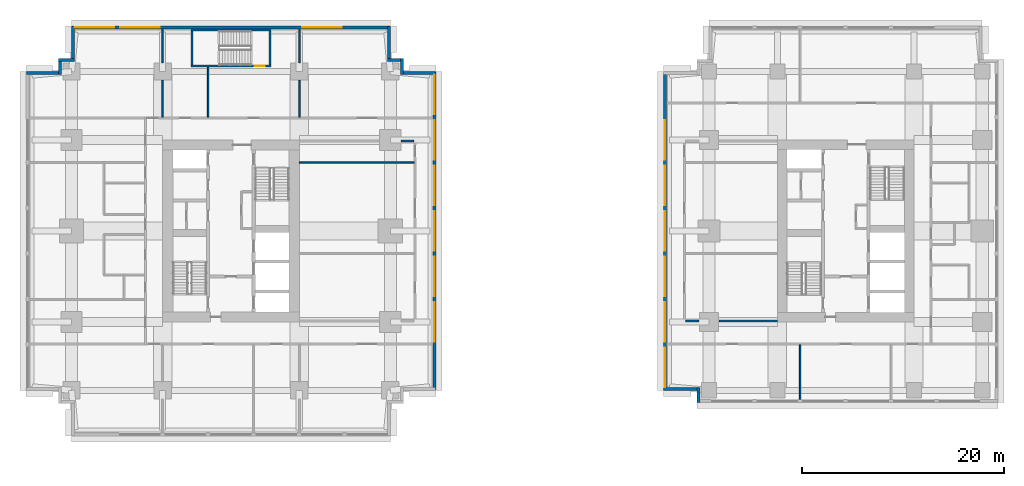
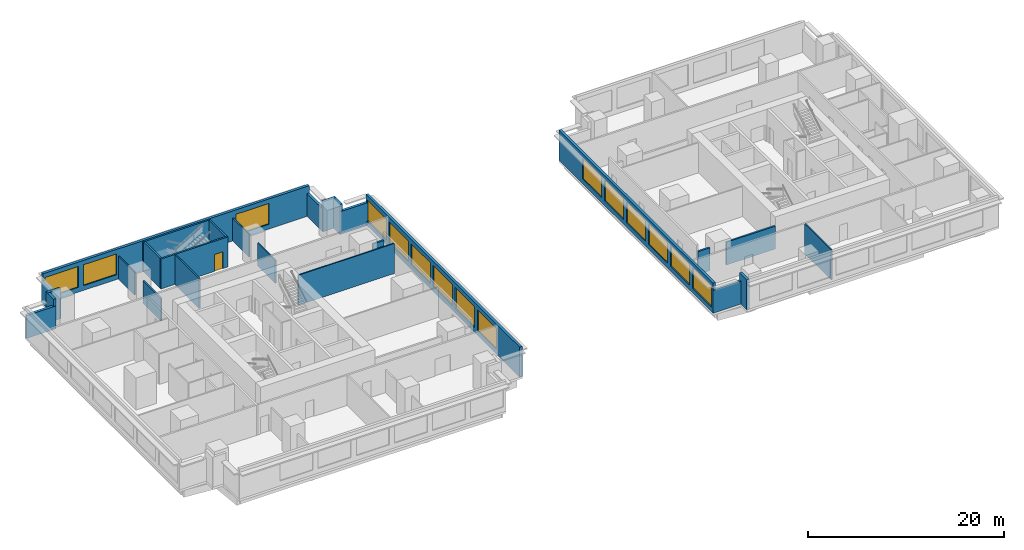
# One storey, part 5 of 10: 27 walls, 15 windows, 1 door, 16 openings.
"""IFC4 building model written with IfcOpenShell, lengths in metres."""

from ifc_helpers import new_model, si_unit, direction, frame, frame_2d, origin, place, context, subcontext, project, spatial, rectangle, extrude, material, layer, layer_set, type_object, element, fill, save


model = new_model("IFC4")

# Units and contexts
model_context = context("Model", 3, precision=1e-05, world=origin(), true_north=direction((0.0, 1.0)))
body_context = subcontext(model_context, "Body", "Model", "MODEL_VIEW")
ifc_project = project(units=[si_unit("LENGTHUNIT", "METRE"), si_unit("AREAUNIT", "SQUARE_METRE"), si_unit("VOLUMEUNIT", "CUBIC_METRE"), si_unit("PLANEANGLEUNIT", "RADIAN"), si_unit("MASSUNIT", "GRAM", prefix="KILO")], contexts=[model_context])

# Site, building, storey
site_placement = place(None, origin())
site = spatial("IfcSite", under=ifc_project, at=site_placement, CompositionType="ELEMENT")
building_placement = place(site_placement, origin())
building = spatial("IfcBuilding", under=site, at=building_placement, Name="Namib Vertical Campus", CompositionType="ELEMENT")
storey_placement = place(building_placement, frame((0.0, 0.0, 145.0)))
storey = spatial("IfcBuildingStorey", under=building, at=storey_placement, Name="L34", CompositionType="ELEMENT", Elevation=145.0)

# Walls
ifc_material_1 = material(Name="Concrete masonry", Category="masonry")
ifc_layer_1 = layer(ifc_material_1, 0.199951171875)
ifc_layer_set_1 = layer_set([ifc_layer_1], Name="Corridor wall 200")
wall_type_1 = type_object("IfcWallType", Name="Corridor wall 200", PredefinedType="SOLIDWALL", material=ifc_layer_set_1)
wall_1_placement = place(storey_placement, frame((37.070068359375, 29.14990234375, 0.0), z_axis=(0.0, 0.0, 1.0), x_axis=(1.0, 0.0, 0.0)))
element("IfcWall", 1, at=wall_1_placement, inside=storey, type_object=wall_type_1, Name="Corridor wall A L34 GN", PredefinedType="SOLIDWALL", context=body_context, shape_type="SweptSolid", body=[
    extrude(rectangle(XDim=1.280029296875, YDim=0.199951171875, at=frame_2d((0.64013671875, 0.0))), origin(), (0.0, 0.0, 1.0), 2.85009765625),
])
wall_2_placement = place(storey_placement, frame((65.14990234375, 11.35009765625, 0.0), z_axis=(0.0, 0.0, 1.0), x_axis=(1.0, 0.0, 0.0)))
element("IfcWall", 2, at=wall_2_placement, inside=storey, type_object=wall_type_1, Name="Corridor wall B L34 GS", PredefinedType="SOLIDWALL", context=body_context, shape_type="SweptSolid", body=[
    extrude(rectangle(XDim=1.380126953125, YDim=0.199951171875, at=frame_2d((0.68994140625, 0.0))), origin(), (0.0, 0.0, 1.0), 2.85009765625),
])
wall_3_placement = place(storey_placement, frame((68.469970703125, 11.35009765625, 0.0), z_axis=(0.0, 0.0, 1.0), x_axis=(1.0, 0.0, 0.0)))
element("IfcWall", 3, at=wall_3_placement, inside=storey, type_object=wall_type_1, Name="Corridor wall B L34 GS", PredefinedType="SOLIDWALL", context=body_context, shape_type="SweptSolid", body=[
    extrude(rectangle(XDim=5.780029296875, YDim=0.199951171875, at=frame_2d((2.89013671875, 0.0))), origin(), (0.0, 0.0, 1.0), 2.85009765625),
])

# Wall, openings, windows
ifc_material_2 = material(Name="Concrete C40/50", Category="concrete")
ifc_layer_2 = layer(ifc_material_2, 0.300048828125)
ifc_layer_set_2 = layer_set([ifc_layer_2], Name="Concrete C40/50")
wall_type_2 = type_object("IfcWallType", Name="External wall 300 board-marked concrete", PredefinedType="STANDARD", material=ifc_layer_set_2)
wall_4_placement = place(storey_placement, frame((40.35009765625, 4.52001953125, 0.0), z_axis=(0.0, 0.0, 1.0), x_axis=(0.0, 1.0, 0.0)))
wall_4 = element("IfcWall", 4, at=wall_4_placement, inside=storey, type_object=wall_type_2, Name="External wall L34 F06", PredefinedType="STANDARD", context=body_context, shape_type="SweptSolid", body=[
    extrude(rectangle(XDim=31.4599609375, YDim=0.300048828125, at=frame_2d((15.72998046875, 0.0))), origin(), (0.0, 0.0, 1.0), 3.75),
])
opening_1_placement = place(wall_4_placement, frame((4.780029296875, 0.0, 0.60009765625)))
opening_1 = element("IfcOpeningElement", 5, at=opening_1_placement, cuts=wall_4, Name="Opening W2", PredefinedType="OPENING", context=body_context, shape_type="SweptSolid", body=[
    extrude(rectangle(XDim=3.89990234375, YDim=2.60009765625, at=frame_2d((1.949951171875, 1.300048828125))), frame((0.0, 0.159912109375, 0.0), z_axis=(0.0, -1.0, 0.0), x_axis=(1.0, 0.0, 0.0)), (0.0, 0.0, 1.0), 0.320068359375),
])
opening_2_placement = place(wall_4_placement, frame((9.280029296875, 0.0, 0.60009765625)))
opening_2 = element("IfcOpeningElement", 6, at=opening_2_placement, cuts=wall_4, Name="Opening W2", PredefinedType="OPENING", context=body_context, shape_type="SweptSolid", body=[
    extrude(rectangle(XDim=3.89990234375, YDim=2.60009765625, at=frame_2d((1.949951171875, 1.300048828125))), frame((0.0, 0.159912109375, 0.0), z_axis=(0.0, -1.0, 0.0), x_axis=(1.0, 0.0, 0.0)), (0.0, 0.0, 1.0), 0.320068359375),
])
opening_3_placement = place(wall_4_placement, frame((13.780029296875, 0.0, 0.60009765625)))
opening_3 = element("IfcOpeningElement", 7, at=opening_3_placement, cuts=wall_4, Name="Opening W2", PredefinedType="OPENING", context=body_context, shape_type="SweptSolid", body=[
    extrude(rectangle(XDim=3.89990234375, YDim=2.60009765625, at=frame_2d((1.949951171875, 1.300048828125))), frame((0.0, 0.159912109375, 0.0), z_axis=(0.0, -1.0, 0.0), x_axis=(1.0, 0.0, 0.0)), (0.0, 0.0, 1.0), 0.320068359375),
])
opening_4_placement = place(wall_4_placement, frame((18.280029296875, 0.0, 0.60009765625)))
opening_4 = element("IfcOpeningElement", 8, at=opening_4_placement, cuts=wall_4, Name="Opening W2", PredefinedType="OPENING", context=body_context, shape_type="SweptSolid", body=[
    extrude(rectangle(XDim=3.89990234375, YDim=2.60009765625, at=frame_2d((1.949951171875, 1.300048828125))), frame((0.0, 0.159912109375, 0.0), z_axis=(0.0, -1.0, 0.0), x_axis=(1.0, 0.0, 0.0)), (0.0, 0.0, 1.0), 0.320068359375),
])
opening_5_placement = place(wall_4_placement, frame((22.780029296875, 0.0, 0.60009765625)))
opening_5 = element("IfcOpeningElement", 9, at=opening_5_placement, cuts=wall_4, Name="Opening W2", PredefinedType="OPENING", context=body_context, shape_type="SweptSolid", body=[
    extrude(rectangle(XDim=3.89990234375, YDim=2.60009765625, at=frame_2d((1.949951171875, 1.300048828125))), frame((0.0, 0.159912109375, 0.0), z_axis=(0.0, -1.0, 0.0), x_axis=(1.0, 0.0, 0.0)), (0.0, 0.0, 1.0), 0.320068359375),
])
opening_6_placement = place(wall_4_placement, frame((27.280029296875, 0.0, 0.60009765625)))
opening_6 = element("IfcOpeningElement", 10, at=opening_6_placement, cuts=wall_4, Name="Opening W2", PredefinedType="OPENING", context=body_context, shape_type="SweptSolid", body=[
    extrude(rectangle(XDim=3.89990234375, YDim=2.60009765625, at=frame_2d((1.949951171875, 1.300048828125))), frame((0.0, 0.159912109375, 0.0), z_axis=(0.0, -1.0, 0.0), x_axis=(1.0, 0.0, 0.0)), (0.0, 0.0, 1.0), 0.320068359375),
])
ifc_material_3 = material(Name="Dark tinted glass in black aluminium frame", Category="aluminium")
window_type = type_object("IfcWindowType", Name="Ribbon window 3900x2600", PartitioningType="SINGLE_PANEL", PredefinedType="WINDOW", material=ifc_material_3)
window_1_placement = place(opening_1_placement, origin())
window_1 = element("IfcWindow", 11, at=window_1_placement, inside=storey, type_object=window_type, Name="Window W2 L34 F06-2", OverallHeight=2.60009765625, OverallWidth=3.89990234375, PartitioningType="SINGLE_PANEL", PredefinedType="WINDOW", context=body_context, shape_type="SweptSolid", body=[
    extrude(rectangle(XDim=3.89990234375, YDim=2.60009765625, at=frame_2d((1.949951171875, 1.300048828125))), frame((0.0, 0.030029296875, 0.0), z_axis=(0.0, -1.0, 0.0), x_axis=(1.0, 0.0, 0.0)), (0.0, 0.0, 1.0), 0.06005859375),
])
fill(opening_1, window_1)
window_2_placement = place(opening_2_placement, origin())
window_2 = element("IfcWindow", 12, at=window_2_placement, inside=storey, type_object=window_type, Name="Window W2 L34 F06-3", OverallHeight=2.60009765625, OverallWidth=3.89990234375, PartitioningType="SINGLE_PANEL", PredefinedType="WINDOW", context=body_context, shape_type="SweptSolid", body=[
    extrude(rectangle(XDim=3.89990234375, YDim=2.60009765625, at=frame_2d((1.949951171875, 1.300048828125))), frame((0.0, 0.030029296875, 0.0), z_axis=(0.0, -1.0, 0.0), x_axis=(1.0, 0.0, 0.0)), (0.0, 0.0, 1.0), 0.06005859375),
])
fill(opening_2, window_2)
window_3_placement = place(opening_3_placement, origin())
window_3 = element("IfcWindow", 13, at=window_3_placement, inside=storey, type_object=window_type, Name="Window W2 L34 F06-4", OverallHeight=2.60009765625, OverallWidth=3.89990234375, PartitioningType="SINGLE_PANEL", PredefinedType="WINDOW", context=body_context, shape_type="SweptSolid", body=[
    extrude(rectangle(XDim=3.89990234375, YDim=2.60009765625, at=frame_2d((1.949951171875, 1.300048828125))), frame((0.0, 0.030029296875, 0.0), z_axis=(0.0, -1.0, 0.0), x_axis=(1.0, 0.0, 0.0)), (0.0, 0.0, 1.0), 0.06005859375),
])
fill(opening_3, window_3)
window_4_placement = place(opening_4_placement, origin())
window_4 = element("IfcWindow", 14, at=window_4_placement, inside=storey, type_object=window_type, Name="Window W2 L34 F06-5", OverallHeight=2.60009765625, OverallWidth=3.89990234375, PartitioningType="SINGLE_PANEL", PredefinedType="WINDOW", context=body_context, shape_type="SweptSolid", body=[
    extrude(rectangle(XDim=3.89990234375, YDim=2.60009765625, at=frame_2d((1.949951171875, 1.300048828125))), frame((0.0, 0.030029296875, 0.0), z_axis=(0.0, -1.0, 0.0), x_axis=(1.0, 0.0, 0.0)), (0.0, 0.0, 1.0), 0.06005859375),
])
fill(opening_4, window_4)
window_5_placement = place(opening_5_placement, origin())
window_5 = element("IfcWindow", 15, at=window_5_placement, inside=storey, type_object=window_type, Name="Window W2 L34 F06-6", OverallHeight=2.60009765625, OverallWidth=3.89990234375, PartitioningType="SINGLE_PANEL", PredefinedType="WINDOW", context=body_context, shape_type="SweptSolid", body=[
    extrude(rectangle(XDim=3.89990234375, YDim=2.60009765625, at=frame_2d((1.949951171875, 1.300048828125))), frame((0.0, 0.030029296875, 0.0), z_axis=(0.0, -1.0, 0.0), x_axis=(1.0, 0.0, 0.0)), (0.0, 0.0, 1.0), 0.06005859375),
])
fill(opening_5, window_5)
window_6_placement = place(opening_6_placement, origin())
window_6 = element("IfcWindow", 16, at=window_6_placement, inside=storey, type_object=window_type, Name="Window W2 L34 F06-7", OverallHeight=2.60009765625, OverallWidth=3.89990234375, PartitioningType="SINGLE_PANEL", PredefinedType="WINDOW", context=body_context, shape_type="SweptSolid", body=[
    extrude(rectangle(XDim=3.89990234375, YDim=2.60009765625, at=frame_2d((1.949951171875, 1.300048828125))), frame((0.0, 0.030029296875, 0.0), z_axis=(0.0, -1.0, 0.0), x_axis=(1.0, 0.0, 0.0)), (0.0, 0.0, 1.0), 0.06005859375),
])
fill(opening_6, window_6)

# Walls
wall_5_placement = place(storey_placement, frame((40.47998046875, 35.85009765625, 0.0), z_axis=(0.0, 0.0, 1.0), x_axis=(-1.0, 0.0, 0.0)))
element("IfcWall", 17, at=wall_5_placement, inside=storey, type_object=wall_type_2, Name="External wall L34 F07", PredefinedType="STANDARD", context=body_context, shape_type="SweptSolid", body=[
    extrude(rectangle(XDim=3.4599609375, YDim=0.300048828125, at=frame_2d((1.72998046875, 0.0))), origin(), (0.0, 0.0, 1.0), 2.85009765625),
])
for number, where, z_axis, x_axis, name in (
    (18, (37.14990234375, 35.719970703125, 0.0), (0.0, 0.0, 1.0), (0.0, 1.0, 0.0), "External wall L34 F08"),
    (19, (37.280029296875, 37.14990234375, 0.0), (0.0, 0.0, 1.0), (-1.0, 0.0, 0.0), "External wall L34 F09"),
):
    element("IfcWall", number, at=place(storey_placement, frame(where, z_axis=z_axis, x_axis=x_axis)), inside=storey, type_object=wall_type_2, Name=name, PredefinedType="STANDARD", context=body_context, shape_type="SweptSolid", body=[
        extrude(rectangle(XDim=1.56005859375, YDim=0.300048828125, at=frame_2d((0.780029296875, 0.0))), origin(), (0.0, 0.0, 1.0), 3.75),
    ])
wall_6_placement = place(storey_placement, frame((35.85009765625, 37.02001953125, 0.0), z_axis=(0.0, 0.0, 1.0), x_axis=(0.0, 1.0, 0.0)))
element("IfcWall", 20, at=wall_6_placement, inside=storey, type_object=wall_type_2, Name="External wall L34 F10", PredefinedType="STANDARD", context=body_context, shape_type="SweptSolid", body=[
    extrude(rectangle(XDim=3.4599609375, YDim=0.300048828125, at=frame_2d((1.72998046875, 0.0))), origin(), (0.0, 0.0, 1.0), 2.85009765625),
])

# Wall, openings, windows
wall_7_placement = place(storey_placement, frame((35.97998046875, 40.35009765625, 0.0), z_axis=(0.0, 0.0, 1.0), x_axis=(-1.0, 0.0, 0.0)))
wall_7 = element("IfcWall", 21, at=wall_7_placement, inside=storey, type_object=wall_type_2, Name="External wall L34 F11", PredefinedType="STANDARD", context=body_context, shape_type="SweptSolid", body=[
    extrude(rectangle(XDim=31.4599609375, YDim=0.300048828125, at=frame_2d((15.72998046875, 0.0))), origin(), (0.0, 0.0, 1.0), 3.75),
])
opening_7_placement = place(wall_7_placement, frame((27.280029296875, 0.0, 0.60009765625)))
opening_7 = element("IfcOpeningElement", 22, at=opening_7_placement, cuts=wall_7, Name="Opening W2", PredefinedType="OPENING", context=body_context, shape_type="SweptSolid", body=[
    extrude(rectangle(XDim=3.89990234375, YDim=2.60009765625, at=frame_2d((1.949951171875, 1.300048828125))), frame((0.0, 0.159912109375, 0.0), z_axis=(0.0, -1.0, 0.0), x_axis=(1.0, 0.0, 0.0)), (0.0, 0.0, 1.0), 0.320068359375),
])
opening_8_placement = place(wall_7_placement, frame((22.780029296875, 0.0, 0.60009765625)))
opening_8 = element("IfcOpeningElement", 23, at=opening_8_placement, cuts=wall_7, Name="Opening W2", PredefinedType="OPENING", context=body_context, shape_type="SweptSolid", body=[
    extrude(rectangle(XDim=3.89990234375, YDim=2.60009765625, at=frame_2d((1.949951171875, 1.300048828125))), frame((0.0, 0.159912109375, 0.0), z_axis=(0.0, -1.0, 0.0), x_axis=(1.0, 0.0, 0.0)), (0.0, 0.0, 1.0), 0.320068359375),
])
opening_9_placement = place(wall_7_placement, frame((4.780029296875, 0.0, 0.60009765625)))
opening_9 = element("IfcOpeningElement", 24, at=opening_9_placement, cuts=wall_7, Name="Opening W2", PredefinedType="OPENING", context=body_context, shape_type="SweptSolid", body=[
    extrude(rectangle(XDim=3.89990234375, YDim=2.60009765625, at=frame_2d((1.949951171875, 1.300048828125))), frame((0.0, 0.159912109375, 0.0), z_axis=(0.0, -1.0, 0.0), x_axis=(1.0, 0.0, 0.0)), (0.0, 0.0, 1.0), 0.320068359375),
])
window_7_placement = place(opening_7_placement, origin())
window_7 = element("IfcWindow", 25, at=window_7_placement, inside=storey, type_object=window_type, Name="Window W2 L34 F11-1", OverallHeight=2.60009765625, OverallWidth=3.89990234375, PartitioningType="SINGLE_PANEL", PredefinedType="WINDOW", context=body_context, shape_type="SweptSolid", body=[
    extrude(rectangle(XDim=3.89990234375, YDim=2.60009765625, at=frame_2d((1.949951171875, 1.300048828125))), frame((0.0, 0.030029296875, 0.0), z_axis=(0.0, -1.0, 0.0), x_axis=(1.0, 0.0, 0.0)), (0.0, 0.0, 1.0), 0.06005859375),
])
fill(opening_7, window_7)
window_8_placement = place(opening_8_placement, origin())
window_8 = element("IfcWindow", 26, at=window_8_placement, inside=storey, type_object=window_type, Name="Window W2 L34 F11-2", OverallHeight=2.60009765625, OverallWidth=3.89990234375, PartitioningType="SINGLE_PANEL", PredefinedType="WINDOW", context=body_context, shape_type="SweptSolid", body=[
    extrude(rectangle(XDim=3.89990234375, YDim=2.60009765625, at=frame_2d((1.949951171875, 1.300048828125))), frame((0.0, 0.030029296875, 0.0), z_axis=(0.0, -1.0, 0.0), x_axis=(1.0, 0.0, 0.0)), (0.0, 0.0, 1.0), 0.06005859375),
])
fill(opening_8, window_8)
window_9_placement = place(opening_9_placement, origin())
window_9 = element("IfcWindow", 27, at=window_9_placement, inside=storey, type_object=window_type, Name="Window W2 L34 F11-6", OverallHeight=2.60009765625, OverallWidth=3.89990234375, PartitioningType="SINGLE_PANEL", PredefinedType="WINDOW", context=body_context, shape_type="SweptSolid", body=[
    extrude(rectangle(XDim=3.89990234375, YDim=2.60009765625, at=frame_2d((1.949951171875, 1.300048828125))), frame((0.0, 0.030029296875, 0.0), z_axis=(0.0, -1.0, 0.0), x_axis=(1.0, 0.0, 0.0)), (0.0, 0.0, 1.0), 0.06005859375),
])
fill(opening_9, window_9)

# Walls
wall_8_placement = place(storey_placement, frame((4.64990234375, 40.47998046875, 0.0), z_axis=(0.0, 0.0, 1.0), x_axis=(0.0, -1.0, 0.0)))
element("IfcWall", 28, at=wall_8_placement, inside=storey, type_object=wall_type_2, Name="External wall L34 F12", PredefinedType="STANDARD", context=body_context, shape_type="SweptSolid", body=[
    extrude(rectangle(XDim=3.4599609375, YDim=0.300048828125, at=frame_2d((1.72998046875, 0.0))), origin(), (0.0, 0.0, 1.0), 2.85009765625),
])
for number, where, z_axis, x_axis, name in (
    (29, (4.780029296875, 37.14990234375, 0.0), (0.0, 0.0, 1.0), (-1.0, 0.0, 0.0), "External wall L34 F13"),
    (30, (3.35009765625, 37.280029296875, 0.0), (0.0, 0.0, 1.0), (0.0, -1.0, 0.0), "External wall L34 F14"),
):
    element("IfcWall", number, at=place(storey_placement, frame(where, z_axis=z_axis, x_axis=x_axis)), inside=storey, type_object=wall_type_2, Name=name, PredefinedType="STANDARD", context=body_context, shape_type="SweptSolid", body=[
        extrude(rectangle(XDim=1.56005859375, YDim=0.300048828125, at=frame_2d((0.780029296875, 0.0))), origin(), (0.0, 0.0, 1.0), 3.75),
    ])
wall_9_placement = place(storey_placement, frame((3.47998046875, 35.85009765625, 0.0), z_axis=(0.0, 0.0, 1.0), x_axis=(-1.0, 0.0, 0.0)))
element("IfcWall", 31, at=wall_9_placement, inside=storey, type_object=wall_type_2, Name="External wall L34 F15", PredefinedType="STANDARD", context=body_context, shape_type="SweptSolid", body=[
    extrude(rectangle(XDim=3.4599609375, YDim=0.300048828125, at=frame_2d((1.72998046875, 0.0))), origin(), (0.0, 0.0, 1.0), 2.85009765625),
])
wall_10_placement = place(storey_placement, frame((63.02001953125, 4.64990234375, 0.0), z_axis=(0.0, 0.0, 1.0), x_axis=(1.0, 0.0, 0.0)))
element("IfcWall", 32, at=wall_10_placement, inside=storey, type_object=wall_type_2, Name="External wall L34 F01", PredefinedType="STANDARD", context=body_context, shape_type="SweptSolid", body=[
    extrude(rectangle(XDim=3.56005859375, YDim=0.300048828125, at=frame_2d((1.780029296875, 0.0))), origin(), (0.0, 0.0, 1.0), 2.85009765625),
])
wall_11_placement = place(storey_placement, frame((66.449951171875, 4.780029296875, 0.0), z_axis=(0.0, 0.0, 1.0), x_axis=(0.0, -1.0, 0.0)))
element("IfcWall", 33, at=wall_11_placement, inside=storey, type_object=wall_type_2, Name="External wall L34 F02", PredefinedType="STANDARD", context=body_context, shape_type="SweptSolid", body=[
    extrude(rectangle(XDim=1.4599609375, YDim=0.300048828125, at=frame_2d((0.72998046875, 0.0))), origin(), (0.0, 0.0, 1.0), 3.75),
])

# Wall, openings, windows
wall_12_placement = place(storey_placement, frame((63.14990234375, 35.97998046875, 0.0), z_axis=(0.0, 0.0, 1.0), x_axis=(0.0, -1.0, 0.0)))
wall_12 = element("IfcWall", 34, at=wall_12_placement, inside=storey, type_object=wall_type_2, Name="External wall L34 F12", PredefinedType="STANDARD", context=body_context, shape_type="SweptSolid", body=[
    extrude(rectangle(XDim=31.4599609375, YDim=0.300048828125, at=frame_2d((15.72998046875, 0.0))), origin(), (0.0, 0.0, 1.0), 3.75),
])
opening_10_placement = place(wall_12_placement, frame((27.280029296875, 0.0, 0.60009765625)))
opening_10 = element("IfcOpeningElement", 35, at=opening_10_placement, cuts=wall_12, Name="Opening W2", PredefinedType="OPENING", context=body_context, shape_type="SweptSolid", body=[
    extrude(rectangle(XDim=3.89990234375, YDim=2.60009765625, at=frame_2d((1.949951171875, 1.300048828125))), frame((0.0, 0.159912109375, 0.0), z_axis=(0.0, -1.0, 0.0), x_axis=(1.0, 0.0, 0.0)), (0.0, 0.0, 1.0), 0.320068359375),
])
opening_11_placement = place(wall_12_placement, frame((22.780029296875, 0.0, 0.60009765625)))
opening_11 = element("IfcOpeningElement", 36, at=opening_11_placement, cuts=wall_12, Name="Opening W2", PredefinedType="OPENING", context=body_context, shape_type="SweptSolid", body=[
    extrude(rectangle(XDim=3.89990234375, YDim=2.60009765625, at=frame_2d((1.949951171875, 1.300048828125))), frame((0.0, 0.159912109375, 0.0), z_axis=(0.0, -1.0, 0.0), x_axis=(1.0, 0.0, 0.0)), (0.0, 0.0, 1.0), 0.320068359375),
])
opening_12_placement = place(wall_12_placement, frame((18.280029296875, 0.0, 0.60009765625)))
opening_12 = element("IfcOpeningElement", 37, at=opening_12_placement, cuts=wall_12, Name="Opening W2", PredefinedType="OPENING", context=body_context, shape_type="SweptSolid", body=[
    extrude(rectangle(XDim=3.89990234375, YDim=2.60009765625, at=frame_2d((1.949951171875, 1.300048828125))), frame((0.0, 0.159912109375, 0.0), z_axis=(0.0, -1.0, 0.0), x_axis=(1.0, 0.0, 0.0)), (0.0, 0.0, 1.0), 0.320068359375),
])
opening_13_placement = place(wall_12_placement, frame((13.780029296875, 0.0, 0.60009765625)))
opening_13 = element("IfcOpeningElement", 38, at=opening_13_placement, cuts=wall_12, Name="Opening W2", PredefinedType="OPENING", context=body_context, shape_type="SweptSolid", body=[
    extrude(rectangle(XDim=3.89990234375, YDim=2.60009765625, at=frame_2d((1.949951171875, 1.300048828125))), frame((0.0, 0.159912109375, 0.0), z_axis=(0.0, -1.0, 0.0), x_axis=(1.0, 0.0, 0.0)), (0.0, 0.0, 1.0), 0.320068359375),
])
opening_14_placement = place(wall_12_placement, frame((9.280029296875, 0.0, 0.60009765625)))
opening_14 = element("IfcOpeningElement", 39, at=opening_14_placement, cuts=wall_12, Name="Opening W2", PredefinedType="OPENING", context=body_context, shape_type="SweptSolid", body=[
    extrude(rectangle(XDim=3.89990234375, YDim=2.60009765625, at=frame_2d((1.949951171875, 1.300048828125))), frame((0.0, 0.159912109375, 0.0), z_axis=(0.0, -1.0, 0.0), x_axis=(1.0, 0.0, 0.0)), (0.0, 0.0, 1.0), 0.320068359375),
])
opening_15_placement = place(wall_12_placement, frame((4.780029296875, 0.0, 0.60009765625)))
opening_15 = element("IfcOpeningElement", 40, at=opening_15_placement, cuts=wall_12, Name="Opening W2", PredefinedType="OPENING", context=body_context, shape_type="SweptSolid", body=[
    extrude(rectangle(XDim=3.89990234375, YDim=2.60009765625, at=frame_2d((1.949951171875, 1.300048828125))), frame((0.0, 0.159912109375, 0.0), z_axis=(0.0, -1.0, 0.0), x_axis=(1.0, 0.0, 0.0)), (0.0, 0.0, 1.0), 0.320068359375),
])
window_10_placement = place(opening_10_placement, origin())
window_10 = element("IfcWindow", 41, at=window_10_placement, inside=storey, type_object=window_type, Name="Window W2 L34 F12-1", OverallHeight=2.60009765625, OverallWidth=3.89990234375, PartitioningType="SINGLE_PANEL", PredefinedType="WINDOW", context=body_context, shape_type="SweptSolid", body=[
    extrude(rectangle(XDim=3.89990234375, YDim=2.60009765625, at=frame_2d((1.949951171875, 1.300048828125))), frame((0.0, 0.030029296875, 0.0), z_axis=(0.0, -1.0, 0.0), x_axis=(1.0, 0.0, 0.0)), (0.0, 0.0, 1.0), 0.06005859375),
])
fill(opening_10, window_10)
window_11_placement = place(opening_11_placement, origin())
window_11 = element("IfcWindow", 42, at=window_11_placement, inside=storey, type_object=window_type, Name="Window W2 L34 F12-2", OverallHeight=2.60009765625, OverallWidth=3.89990234375, PartitioningType="SINGLE_PANEL", PredefinedType="WINDOW", context=body_context, shape_type="SweptSolid", body=[
    extrude(rectangle(XDim=3.89990234375, YDim=2.60009765625, at=frame_2d((1.949951171875, 1.300048828125))), frame((0.0, 0.030029296875, 0.0), z_axis=(0.0, -1.0, 0.0), x_axis=(1.0, 0.0, 0.0)), (0.0, 0.0, 1.0), 0.06005859375),
])
fill(opening_11, window_11)
window_12_placement = place(opening_12_placement, origin())
window_12 = element("IfcWindow", 43, at=window_12_placement, inside=storey, type_object=window_type, Name="Window W2 L34 F12-3", OverallHeight=2.60009765625, OverallWidth=3.89990234375, PartitioningType="SINGLE_PANEL", PredefinedType="WINDOW", context=body_context, shape_type="SweptSolid", body=[
    extrude(rectangle(XDim=3.89990234375, YDim=2.60009765625, at=frame_2d((1.949951171875, 1.300048828125))), frame((0.0, 0.030029296875, 0.0), z_axis=(0.0, -1.0, 0.0), x_axis=(1.0, 0.0, 0.0)), (0.0, 0.0, 1.0), 0.06005859375),
])
fill(opening_12, window_12)
window_13_placement = place(opening_13_placement, origin())
window_13 = element("IfcWindow", 44, at=window_13_placement, inside=storey, type_object=window_type, Name="Window W2 L34 F12-4", OverallHeight=2.60009765625, OverallWidth=3.89990234375, PartitioningType="SINGLE_PANEL", PredefinedType="WINDOW", context=body_context, shape_type="SweptSolid", body=[
    extrude(rectangle(XDim=3.89990234375, YDim=2.60009765625, at=frame_2d((1.949951171875, 1.300048828125))), frame((0.0, 0.030029296875, 0.0), z_axis=(0.0, -1.0, 0.0), x_axis=(1.0, 0.0, 0.0)), (0.0, 0.0, 1.0), 0.06005859375),
])
fill(opening_13, window_13)
window_14_placement = place(opening_14_placement, origin())
window_14 = element("IfcWindow", 45, at=window_14_placement, inside=storey, type_object=window_type, Name="Window W2 L34 F12-5", OverallHeight=2.60009765625, OverallWidth=3.89990234375, PartitioningType="SINGLE_PANEL", PredefinedType="WINDOW", context=body_context, shape_type="SweptSolid", body=[
    extrude(rectangle(XDim=3.89990234375, YDim=2.60009765625, at=frame_2d((1.949951171875, 1.300048828125))), frame((0.0, 0.030029296875, 0.0), z_axis=(0.0, -1.0, 0.0), x_axis=(1.0, 0.0, 0.0)), (0.0, 0.0, 1.0), 0.06005859375),
])
fill(opening_14, window_14)
window_15_placement = place(opening_15_placement, origin())
window_15 = element("IfcWindow", 46, at=window_15_placement, inside=storey, type_object=window_type, Name="Window W2 L34 F12-6", OverallHeight=2.60009765625, OverallWidth=3.89990234375, PartitioningType="SINGLE_PANEL", PredefinedType="WINDOW", context=body_context, shape_type="SweptSolid", body=[
    extrude(rectangle(XDim=3.89990234375, YDim=2.60009765625, at=frame_2d((1.949951171875, 1.300048828125))), frame((0.0, 0.030029296875, 0.0), z_axis=(0.0, -1.0, 0.0), x_axis=(1.0, 0.0, 0.0)), (0.0, 0.0, 1.0), 0.06005859375),
])
fill(opening_15, window_15)

# Walls
ifc_material_4 = material(Name="Gypsum board on steel studs", Category="steel")
ifc_layer_3 = layer(ifc_material_4, 0.14990234375)
ifc_layer_set_3 = layer_set([ifc_layer_3], Name="Gypsum board on steel studs")
wall_type_3 = type_object("IfcWallType", Name="Partition 150", PredefinedType="PARTITIONING", material=ifc_layer_set_3)
wall_13_placement = place(storey_placement, frame((13.5, 31.5, 0.0), z_axis=(0.0, 0.0, 1.0), x_axis=(0.0, 1.0, 0.0)))
element("IfcWall", 47, at=wall_13_placement, inside=storey, type_object=wall_type_3, Name="Partition A L34 PN1", PredefinedType="PARTITIONING", context=body_context, shape_type="SweptSolid", body=[
    extrude(rectangle(XDim=3.6298828125, YDim=0.14990234375, at=frame_2d((1.81494140625, 0.0))), origin(), (0.0, 0.0, 1.0), 2.85009765625),
])
wall_14_placement = place(storey_placement, frame((13.5, 36.8701171875, 0.0), z_axis=(0.0, 0.0, 1.0), x_axis=(0.0, 1.0, 0.0)))
element("IfcWall", 48, at=wall_14_placement, inside=storey, type_object=wall_type_3, Name="Partition A L34 PN1", PredefinedType="PARTITIONING", context=body_context, shape_type="SweptSolid", body=[
    extrude(rectangle(XDim=3.329833984375, YDim=0.14990234375, at=frame_2d((1.6650390625, 0.0))), origin(), (0.0, 0.0, 1.0), 2.85009765625),
])
wall_15_placement = place(storey_placement, frame((18.0, 31.5, 0.0), z_axis=(0.0, 0.0, 1.0), x_axis=(0.0, 1.0, 0.0)))
element("IfcWall", 49, at=wall_15_placement, inside=storey, type_object=wall_type_3, Name="Partition A L34 PN2", PredefinedType="PARTITIONING", context=body_context, shape_type="SweptSolid", body=[
    extrude(rectangle(XDim=4.949951171875, YDim=0.14990234375, at=frame_2d((2.47509765625, 0.0))), origin(), (0.0, 0.0, 1.0), 3.75),
])
wall_16_placement = place(storey_placement, frame((27.0, 31.5, 0.0), z_axis=(0.0, 0.0, 1.0), x_axis=(0.0, 1.0, 0.0)))
element("IfcWall", 50, at=wall_16_placement, inside=storey, type_object=wall_type_3, Name="Partition A L34 PN3", PredefinedType="PARTITIONING", context=body_context, shape_type="SweptSolid", body=[
    extrude(rectangle(XDim=3.6298828125, YDim=0.14990234375, at=frame_2d((1.81494140625, 0.0))), origin(), (0.0, 0.0, 1.0), 2.85009765625),
])
wall_17_placement = place(storey_placement, frame((27.0, 36.8701171875, 0.0), z_axis=(0.0, 0.0, 1.0), x_axis=(0.0, 1.0, 0.0)))
element("IfcWall", 51, at=wall_17_placement, inside=storey, type_object=wall_type_3, Name="Partition A L34 PN3", PredefinedType="PARTITIONING", context=body_context, shape_type="SweptSolid", body=[
    extrude(rectangle(XDim=3.329833984375, YDim=0.14990234375, at=frame_2d((1.6650390625, 0.0))), origin(), (0.0, 0.0, 1.0), 2.85009765625),
])
wall_18_placement = place(storey_placement, frame((27.0, 27.0, 0.0), z_axis=(0.0, 0.0, 1.0), x_axis=(1.0, 0.0, 0.0)))
element("IfcWall", 52, at=wall_18_placement, inside=storey, type_object=wall_type_3, Name="Partition A L34 PE2", PredefinedType="PARTITIONING", context=body_context, shape_type="SweptSolid", body=[
    extrude(rectangle(XDim=11.35009765625, YDim=0.14990234375, at=frame_2d((5.675048828125, 0.0))), origin(), (0.0, 0.0, 1.0), 3.75),
])
wall_19_placement = place(storey_placement, frame((76.5, 3.60009765625, 0.0), z_axis=(0.0, 0.0, 1.0), x_axis=(0.0, 1.0, 0.0)))
element("IfcWall", 53, at=wall_19_placement, inside=storey, type_object=wall_type_3, Name="Partition B L34 PS1", PredefinedType="PARTITIONING", context=body_context, shape_type="SweptSolid", body=[
    extrude(rectangle(XDim=5.39990234375, YDim=0.14990234375, at=frame_2d((2.699951171875, 0.0))), origin(), (0.0, 0.0, 1.0), 3.75),
])

# Wall, opening, door
ifc_material_5 = material(Name="Concrete C40/50", Category="concrete")
ifc_layer_4 = layer(ifc_material_5, 0.199951171875)
ifc_layer_set_4 = layer_set([ifc_layer_4], Name="Concrete C40/50")
wall_type_4 = type_object("IfcWallType", Name="Stair enclosure wall RC 200", PredefinedType="SOLIDWALL", material=ifc_layer_set_4)
wall_20_placement = place(storey_placement, frame((16.300048828125, 36.550048828125, 0.0), z_axis=(0.0, 0.0, 1.0), x_axis=(1.0, 0.0, 0.0)))
wall_20 = element("IfcWall", 54, at=wall_20_placement, inside=storey, type_object=wall_type_4, Name="Stair enclosure wall A-S3 L34 S", PredefinedType="SOLIDWALL", context=body_context, shape_type="SweptSolid", body=[
    extrude(rectangle(XDim=7.89990234375, YDim=0.199951171875, at=frame_2d((3.949951171875, 0.0))), origin(), (0.0, 0.0, 1.0), 3.75),
])
opening_16_placement = place(wall_20_placement, frame((6.300048828125, 0.0, 0.0)))
opening_16 = element("IfcOpeningElement", 55, at=opening_16_placement, cuts=wall_20, Name="Opening FD1", PredefinedType="OPENING", context=body_context, shape_type="SweptSolid", body=[
    extrude(rectangle(XDim=1.0, YDim=2.10009765625, at=frame_2d((0.5, 1.050048828125))), frame((0.0, 0.10986328125, 0.0), z_axis=(0.0, -1.0, 0.0), x_axis=(1.0, 0.0, 0.0)), (0.0, 0.0, 1.0), 0.219970703125),
])
ifc_material_6 = material(Name="Steel fire door", Category="steel")
door_type = type_object("IfcDoorType", Name="Fire door 1000x2100", OperationType="SINGLE_SWING_RIGHT", PredefinedType="DOOR", material=ifc_material_6)
door_placement = place(opening_16_placement, origin())
door = element("IfcDoor", 56, at=door_placement, inside=storey, type_object=door_type, Name="Stair door FD1 A L34 S3", OperationType="SINGLE_SWING_RIGHT", OverallHeight=2.10009765625, OverallWidth=1.0, PredefinedType="DOOR", context=body_context, shape_type="SweptSolid", body=[
    extrude(rectangle(XDim=1.0, YDim=2.10009765625, at=frame_2d((0.5, 1.050048828125))), frame((0.0, 0.02490234375, 0.0), z_axis=(0.0, -1.0, 0.0), x_axis=(1.0, 0.0, 0.0)), (0.0, 0.0, 1.0), 0.050048828125),
])
fill(opening_16, door)

# Walls
wall_21_placement = place(storey_placement, frame((16.300048828125, 40.10009765625, 0.0), z_axis=(0.0, 0.0, 1.0), x_axis=(1.0, 0.0, 0.0)))
element("IfcWall", 57, at=wall_21_placement, inside=storey, type_object=wall_type_4, Name="Stair enclosure wall A-S3 L34 N", PredefinedType="SOLIDWALL", context=body_context, shape_type="SweptSolid", body=[
    extrude(rectangle(XDim=7.89990234375, YDim=0.199951171875, at=frame_2d((3.949951171875, 0.0))), origin(), (0.0, 0.0, 1.0), 3.75),
])
for number, where, z_axis, x_axis, name in (
    (58, (16.39990234375, 36.64990234375, 0.0), (0.0, 0.0, 1.0), (0.0, 1.0, 0.0), "Stair enclosure wall A-S3 L34 W"),
    (59, (24.10009765625, 36.64990234375, 0.0), (0.0, 0.0, 1.0), (0.0, 1.0, 0.0), "Stair enclosure wall A-S3 L34 E"),
):
    element("IfcWall", number, at=place(storey_placement, frame(where, z_axis=z_axis, x_axis=x_axis)), inside=storey, type_object=wall_type_4, Name=name, PredefinedType="SOLIDWALL", context=body_context, shape_type="SweptSolid", body=[
        extrude(rectangle(XDim=3.35009765625, YDim=0.199951171875, at=frame_2d((1.675048828125, 0.0))), origin(), (0.0, 0.0, 1.0), 3.75),
    ])

save(model, "model.ifc")
